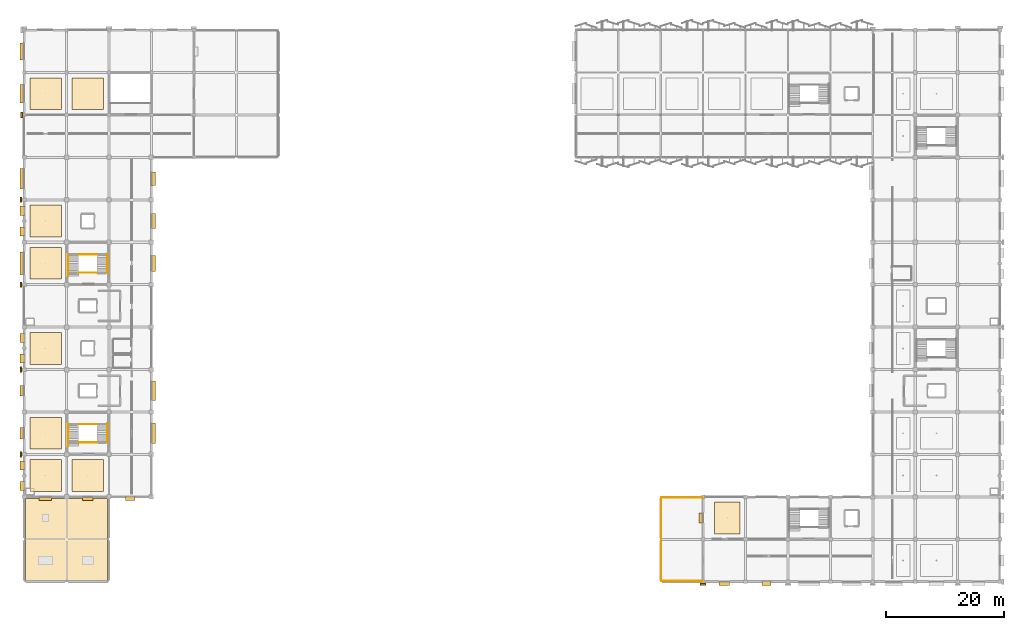
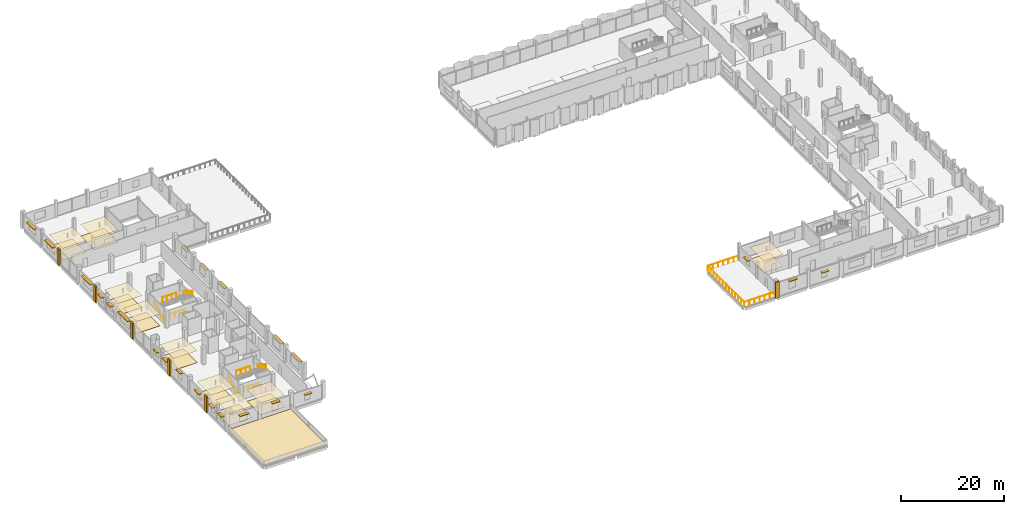
# One storey, part 88 of 91: 25 coverings, 23 shading devices, 12 railings.
"""IFC4 building model written with IfcOpenShell, lengths in metres."""

from ifc_helpers import new_model, si_unit, direction, frame, origin, origin_2d, place, context, subcontext, project, spatial, polyline, rectangle, circle, outline, extrude, material, layer, layer_set, type_object, element, save


model = new_model("IFC4")

# Units and contexts
model_context = context("Model", 3, precision=1e-05, world=origin(), true_north=direction((0.0, 1.0)))
body_context = subcontext(model_context, "Body", "Model", "MODEL_VIEW")
ifc_project = project(units=[si_unit("LENGTHUNIT", "METRE"), si_unit("AREAUNIT", "SQUARE_METRE"), si_unit("VOLUMEUNIT", "CUBIC_METRE"), si_unit("PLANEANGLEUNIT", "RADIAN"), si_unit("MASSUNIT", "GRAM", prefix="KILO")], contexts=[model_context])

# Site, building, storey
site_placement = place(None, origin())
site = spatial("IfcSite", under=ifc_project, at=site_placement, CompositionType="ELEMENT")
building_placement = place(site_placement, origin())
building = spatial("IfcBuilding", under=site, at=building_placement, Name="Kangsadwip Square Police Headquarters", CompositionType="ELEMENT")
storey_placement = place(building_placement, frame((0.0, 0.0, 13.5)))
storey = spatial("IfcBuildingStorey", under=building, at=storey_placement, Name="L03", CompositionType="ELEMENT", Elevation=13.5)

# Railings
ifc_material_1 = material(Name="Structural steel IS 2062 E250 (Grade 250, 250 MPa)", Category="steel")
railing_type_1 = type_object("IfcRailingType", Name="BalustradeGuard1100", PredefinedType="BALUSTRADE", material=ifc_material_1)
for number, where, name in (
    (1, (108.1201171875, 35.8798828125, 0.0), "Terrace Balustrade GR-L03-008"),
    (2, (108.1201171875, 21.719970703125, 0.0), "Terrace Balustrade GR-L03-009"),
):
    element("IfcRailing", number, at=place(storey_placement, frame(where)), inside=storey, type_object=railing_type_1, Name=name, PredefinedType="BALUSTRADE", context=body_context, shape_type="SweptSolid", body=[
        extrude(circle(Radius=0.02392578125, at=origin_2d()), frame((0.0, 0.0, 1.09619140625), z_axis=(1.0, 0.0, 0.0), x_axis=(0.0, 1.0, 0.0)), (0.0, 0.0, 1.0), 6.9599609375),
        extrude(circle(Radius=0.02099609375, at=origin_2d()), origin(), (0.0, 0.0, 1.0), 1.072021484375),
        extrude(circle(Radius=0.02099609375, at=origin_2d()), frame((1.159912109375, 0.0, 0.0)), (0.0, 0.0, 1.0), 1.072021484375),
        extrude(circle(Radius=0.02099609375, at=origin_2d()), frame((2.320068359375, 0.0, 0.0)), (0.0, 0.0, 1.0), 1.072021484375),
        extrude(circle(Radius=0.02099609375, at=origin_2d()), frame((3.47998046875, 0.0, 0.0)), (0.0, 0.0, 1.0), 1.072021484375),
        extrude(circle(Radius=0.02099609375, at=origin_2d()), frame((4.639892578125, 0.0, 0.0)), (0.0, 0.0, 1.0), 1.072021484375),
        extrude(circle(Radius=0.02099609375, at=origin_2d()), frame((5.800048828125, 0.0, 0.0)), (0.0, 0.0, 1.0), 1.072021484375),
        extrude(circle(Radius=0.02099609375, at=origin_2d()), frame((6.9599609375, 0.0, 0.0)), (0.0, 0.0, 1.0), 1.072021484375),
    ])
for number, where, name in (
    (3, (108.1201171875, 21.719970703125, 0.0), "Terrace Balustrade GR-L03-010"),
    (4, (108.1201171875, 28.919921875, 0.0), "Terrace Balustrade GR-L03-011"),
):
    element("IfcRailing", number, at=place(storey_placement, frame(where)), inside=storey, type_object=railing_type_1, Name=name, PredefinedType="BALUSTRADE", context=body_context, shape_type="SweptSolid", body=[
        extrude(circle(Radius=0.02392578125, at=origin_2d()), frame((0.0, 0.0, 1.09619140625), z_axis=(0.0, 1.0, 0.0), x_axis=(-1.0, 0.0, 0.0)), (0.0, 0.0, 1.0), 6.9599609375),
        extrude(circle(Radius=0.02099609375, at=origin_2d()), origin(), (0.0, 0.0, 1.0), 1.072021484375),
        extrude(circle(Radius=0.02099609375, at=origin_2d()), frame((0.0, 1.159912109375, 0.0)), (0.0, 0.0, 1.0), 1.072021484375),
        extrude(circle(Radius=0.02099609375, at=origin_2d()), frame((0.0, 2.320068359375, 0.0)), (0.0, 0.0, 1.0), 1.072021484375),
        extrude(circle(Radius=0.02099609375, at=origin_2d()), frame((0.0, 3.47998046875, 0.0)), (0.0, 0.0, 1.0), 1.072021484375),
        extrude(circle(Radius=0.02099609375, at=origin_2d()), frame((0.0, 4.639892578125, 0.0)), (0.0, 0.0, 1.0), 1.072021484375),
        extrude(circle(Radius=0.02099609375, at=origin_2d()), frame((0.0, 5.800048828125, 0.0)), (0.0, 0.0, 1.0), 1.072021484375),
        extrude(circle(Radius=0.02099609375, at=origin_2d()), frame((0.0, 6.9599609375, 0.0)), (0.0, 0.0, 1.0), 1.072021484375),
    ])
for number, where, name in (
    (5, (9.22998046875, 45.239990234375, 0.0), "Stair Guard ST-01 L03-16"),
    (6, (9.22998046875, 48.320068359375, 2.10595703125), "Stair Guard ST-01 L03-17"),
    (7, (9.22998046875, 74.0400390625, 0.0), "Stair Guard ST-02 L03-51"),
    (8, (9.22998046875, 77.1201171875, 2.10595703125), "Stair Guard ST-02 L03-52"),
):
    element("IfcRailing", number, at=place(storey_placement, frame(where)), inside=storey, type_object=railing_type_1, Name=name, PredefinedType="BALUSTRADE", context=body_context, shape_type="SweptSolid", body=[
        extrude(circle(Radius=0.02392578125, at=origin_2d()), frame((0.0, 0.0, 1.09619140625), z_axis=(1.0, 0.0, 0.0), x_axis=(0.0, 1.0, 0.0)), (0.0, 0.0, 1.0), 3.14013671875),
        extrude(circle(Radius=0.02099609375, at=origin_2d()), origin(), (0.0, 0.0, 1.0), 1.072021484375),
        extrude(circle(Radius=0.02099609375, at=origin_2d()), frame((1.046630859375, 0.0, 0.0)), (0.0, 0.0, 1.0), 1.072021484375),
        extrude(circle(Radius=0.02099609375, at=origin_2d()), frame((2.093505859375, 0.0, 0.0)), (0.0, 0.0, 1.0), 1.072021484375),
        extrude(circle(Radius=0.02099609375, at=origin_2d()), frame((3.14013671875, 0.0, 0.0)), (0.0, 0.0, 1.0), 1.072021484375),
    ])

# Coverings
ifc_material_2 = material(Name="High-albedo elastomeric SRI-104 insulated roof membrane", Category="roofing")
ifc_layer_1 = layer(ifc_material_2, 0.0400390625)
ifc_layer_set_1 = layer_set([ifc_layer_1], Name="High-albedo elastomeric SRI-104 insulated roof membrane")
covering_type_1 = type_object("IfcCoveringType", Name="HighAlbedoRoofMembrane", PredefinedType="ROOFING", material=ifc_layer_set_1)
covering_1_placement = place(storey_placement, origin())
element("IfcCovering", 9, at=covering_1_placement, inside=storey, type_object=covering_type_1, Name="Cool Roof Membrane RF-L03-V3L", PredefinedType="ROOFING", context=body_context, shape_type="SweptSolid", body=[
    extrude(outline(polyline([(0.25, 21.85009765625), (14.14990234375, 21.85009765625), (14.14990234375, 35.75), (0.25, 35.75), (0.25, 21.85009765625)])), origin(), (0.0, 0.0, 1.0), 0.0400390625),
])
ifc_material_3 = material(Name="Seamless anti-static epoxy and polished Kota stone interior flooring", Category="masonry")
ifc_layer_2 = layer(ifc_material_3, 0.02001953125)
ifc_layer_set_2 = layer_set([ifc_layer_2], Name="Seamless anti-static epoxy and polished Kota stone interior flooring")
covering_type_2 = type_object("IfcCoveringType", Name="InteriorStoneEpoxyFloor", PredefinedType="FLOORING", material=ifc_layer_set_2)
covering_2_placement = place(storey_placement, origin())
element("IfcCovering", 10, at=covering_2_placement, inside=storey, type_object=covering_type_2, Name="Interior Floor Finish L03-111", PredefinedType="FLOORING", context=body_context, shape_type="SweptSolid", body=[
    extrude(outline(polyline([(1.0, 101.699951171875), (6.300048828125, 101.699951171875), (6.300048828125, 107.10009765625), (1.0, 107.10009765625), (1.0, 101.699951171875)])), origin(), (0.0, 0.0, 1.0), 0.02001953125),
])
covering_3_placement = place(storey_placement, origin())
element("IfcCovering", 11, at=covering_3_placement, inside=storey, type_object=covering_type_2, Name="Interior Floor Finish L03-112", PredefinedType="FLOORING", context=body_context, shape_type="SweptSolid", body=[
    extrude(outline(polyline([(8.10009765625, 101.699951171875), (13.5, 101.699951171875), (13.5, 107.10009765625), (8.10009765625, 107.10009765625), (8.10009765625, 101.699951171875)])), origin(), (0.0, 0.0, 1.0), 0.02001953125),
])
covering_4_placement = place(storey_placement, origin())
element("IfcCovering", 12, at=covering_4_placement, inside=storey, type_object=covering_type_2, Name="Interior Floor Finish L03-121", PredefinedType="FLOORING", context=body_context, shape_type="SweptSolid", body=[
    extrude(outline(polyline([(1.0, 36.89990234375), (6.300048828125, 36.89990234375), (6.300048828125, 42.300048828125), (1.0, 42.300048828125), (1.0, 36.89990234375)])), origin(), (0.0, 0.0, 1.0), 0.02001953125),
])
covering_5_placement = place(storey_placement, origin())
element("IfcCovering", 13, at=covering_5_placement, inside=storey, type_object=covering_type_2, Name="Interior Floor Finish L03-122", PredefinedType="FLOORING", context=body_context, shape_type="SweptSolid", body=[
    extrude(outline(polyline([(8.10009765625, 36.89990234375), (13.5, 36.89990234375), (13.5, 42.300048828125), (8.10009765625, 42.300048828125), (8.10009765625, 36.89990234375)])), origin(), (0.0, 0.0, 1.0), 0.02001953125),
])
covering_6_placement = place(storey_placement, origin())
element("IfcCovering", 14, at=covering_6_placement, inside=storey, type_object=covering_type_2, Name="Interior Floor Finish L03-123", PredefinedType="FLOORING", context=body_context, shape_type="SweptSolid", body=[
    extrude(outline(polyline([(1.0, 44.10009765625), (6.300048828125, 44.10009765625), (6.300048828125, 49.5), (1.0, 49.5), (1.0, 44.10009765625)])), origin(), (0.0, 0.0, 1.0), 0.02001953125),
])
covering_7_placement = place(storey_placement, origin())
element("IfcCovering", 15, at=covering_7_placement, inside=storey, type_object=covering_type_2, Name="Interior Floor Finish L03-124", PredefinedType="FLOORING", context=body_context, shape_type="SweptSolid", body=[
    extrude(outline(polyline([(1.0, 58.5), (6.300048828125, 58.5), (6.300048828125, 63.89990234375), (1.0, 63.89990234375), (1.0, 58.5)])), origin(), (0.0, 0.0, 1.0), 0.02001953125),
])
covering_8_placement = place(storey_placement, origin())
element("IfcCovering", 16, at=covering_8_placement, inside=storey, type_object=covering_type_2, Name="Interior Floor Finish L03-125", PredefinedType="FLOORING", context=body_context, shape_type="SweptSolid", body=[
    extrude(outline(polyline([(1.0, 72.949951171875), (6.300048828125, 72.949951171875), (6.300048828125, 78.300048828125), (1.0, 78.300048828125), (1.0, 72.949951171875)])), origin(), (0.0, 0.0, 1.0), 0.02001953125),
])
covering_9_placement = place(storey_placement, origin())
element("IfcCovering", 17, at=covering_9_placement, inside=storey, type_object=covering_type_2, Name="Interior Floor Finish L03-126", PredefinedType="FLOORING", context=body_context, shape_type="SweptSolid", body=[
    extrude(outline(polyline([(1.0, 80.10009765625), (6.300048828125, 80.10009765625), (6.300048828125, 85.5), (1.0, 85.5), (1.0, 80.10009765625)])), origin(), (0.0, 0.0, 1.0), 0.02001953125),
])
covering_10_placement = place(storey_placement, origin())
element("IfcCovering", 18, at=covering_10_placement, inside=storey, type_object=covering_type_2, Name="Interior Floor Finish L03-133", PredefinedType="FLOORING", context=body_context, shape_type="SweptSolid", body=[
    extrude(outline(polyline([(117.14990234375, 29.699951171875), (121.5, 29.699951171875), (121.5, 35.10009765625), (117.14990234375, 35.10009765625), (117.14990234375, 29.699951171875)])), origin(), (0.0, 0.0, 1.0), 0.02001953125),
])

# Railings
ifc_material_4 = material(Name="Structural steel IS 2062 E250 (Grade 250, 250 MPa)", Category="steel")
railing_type_2 = type_object("IfcRailingType", Name="StairPitchHandrail900", PredefinedType="HANDRAIL", material=ifc_material_4)
railing_1_placement = place(storey_placement, frame((7.43994140625, 44.639892578125, 0.0)))
element("IfcRailing", 19, at=railing_1_placement, inside=storey, type_object=railing_type_2, Name="Stair Handrail ST-01 L03-18", PredefinedType="HANDRAIL", context=body_context, shape_type="SweptSolid", body=[
    extrude(circle(Radius=0.02392578125, at=origin_2d()), frame((0.0, 0.0, 0.8759765625), z_axis=(0.0, 0.87023930122, 0.492629230367), x_axis=(-1.0, 0.0, 0.0)), (0.0, 0.0, 1.0), 4.27490234375),
    extrude(circle(Radius=0.02099609375, at=origin_2d()), origin(), (0.0, 0.0, 1.0), 0.851806640625),
    extrude(circle(Radius=0.02099609375, at=origin_2d()), frame((0.0, 0.93017578125, 0.5263671875)), (0.0, 0.0, 1.0), 0.851806640625),
    extrude(circle(Radius=0.02099609375, at=origin_2d()), frame((0.0, 1.860107421875, 1.052978515625)), (0.0, 0.0, 1.0), 0.851806640625),
    extrude(circle(Radius=0.02099609375, at=origin_2d()), frame((0.0, 2.7900390625, 1.57958984375)), (0.0, 0.0, 1.0), 0.851806640625),
    extrude(circle(Radius=0.02099609375, at=origin_2d()), frame((0.0, 3.72021484375, 2.10595703125)), (0.0, 0.0, 1.0), 0.851806640625),
])
railing_2_placement = place(storey_placement, frame((14.159912109375, 48.4599609375, 2.10595703125)))
element("IfcRailing", 20, at=railing_2_placement, inside=storey, type_object=railing_type_2, Name="Stair Handrail ST-01 L03-19", PredefinedType="HANDRAIL", context=body_context, shape_type="SweptSolid", body=[
    extrude(circle(Radius=0.02392578125, at=origin_2d()), frame((0.0, 0.0, 0.8759765625), z_axis=(0.0, -0.860248887005, 0.509874349626), x_axis=(1.0, 0.0, 0.0)), (0.0, 0.0, 1.0), 3.81298828125),
    extrude(circle(Radius=0.02099609375, at=origin_2d()), origin(), (0.0, 0.0, 1.0), 0.851806640625),
    extrude(circle(Radius=0.02099609375, at=origin_2d()), frame((0.0, -0.820068359375, 0.486083984375)), (0.0, 0.0, 1.0), 0.851806640625),
    extrude(circle(Radius=0.02099609375, at=origin_2d()), frame((0.0, -1.64013671875, 0.97216796875)), (0.0, 0.0, 1.0), 0.851806640625),
    extrude(circle(Radius=0.02099609375, at=origin_2d()), frame((0.0, -2.4599609375, 1.4580078125)), (0.0, 0.0, 1.0), 0.851806640625),
    extrude(circle(Radius=0.02099609375, at=origin_2d()), frame((0.0, -3.280029296875, 1.944091796875)), (0.0, 0.0, 1.0), 0.851806640625),
])
railing_3_placement = place(storey_placement, frame((7.43994140625, 73.43994140625, 0.0)))
element("IfcRailing", 21, at=railing_3_placement, inside=storey, type_object=railing_type_2, Name="Stair Handrail ST-02 L03-53", PredefinedType="HANDRAIL", context=body_context, shape_type="SweptSolid", body=[
    extrude(circle(Radius=0.02392578125, at=origin_2d()), frame((0.0, 0.0, 0.8759765625), z_axis=(0.0, 0.870225440575, 0.492653714668), x_axis=(-1.0, 0.0, 0.0)), (0.0, 0.0, 1.0), 4.274658203125),
    extrude(circle(Radius=0.02099609375, at=origin_2d()), origin(), (0.0, 0.0, 1.0), 0.851806640625),
    extrude(circle(Radius=0.02099609375, at=origin_2d()), frame((0.0, 0.929931640625, 0.5263671875)), (0.0, 0.0, 1.0), 0.851806640625),
    extrude(circle(Radius=0.02099609375, at=origin_2d()), frame((0.0, 1.85986328125, 1.052978515625)), (0.0, 0.0, 1.0), 0.851806640625),
    extrude(circle(Radius=0.02099609375, at=origin_2d()), frame((0.0, 2.7900390625, 1.57958984375)), (0.0, 0.0, 1.0), 0.851806640625),
    extrude(circle(Radius=0.02099609375, at=origin_2d()), frame((0.0, 3.719970703125, 2.10595703125)), (0.0, 0.0, 1.0), 0.851806640625),
])
railing_4_placement = place(storey_placement, frame((14.159912109375, 77.260009765625, 2.10595703125)))
element("IfcRailing", 22, at=railing_4_placement, inside=storey, type_object=railing_type_2, Name="Stair Handrail ST-02 L03-54", PredefinedType="HANDRAIL", context=body_context, shape_type="SweptSolid", body=[
    extrude(circle(Radius=0.02392578125, at=origin_2d()), frame((0.0, 0.0, 0.8759765625), z_axis=(0.0, -0.860248887005, 0.509874349626), x_axis=(1.0, 0.0, 0.0)), (0.0, 0.0, 1.0), 3.81298828125),
    extrude(circle(Radius=0.02099609375, at=origin_2d()), origin(), (0.0, 0.0, 1.0), 0.851806640625),
    extrude(circle(Radius=0.02099609375, at=origin_2d()), frame((0.0, -0.820068359375, 0.486083984375)), (0.0, 0.0, 1.0), 0.851806640625),
    extrude(circle(Radius=0.02099609375, at=origin_2d()), frame((0.0, -1.64013671875, 0.97216796875)), (0.0, 0.0, 1.0), 0.851806640625),
    extrude(circle(Radius=0.02099609375, at=origin_2d()), frame((0.0, -2.4599609375, 1.4580078125)), (0.0, 0.0, 1.0), 0.851806640625),
    extrude(circle(Radius=0.02099609375, at=origin_2d()), frame((0.0, -3.280029296875, 1.944091796875)), (0.0, 0.0, 1.0), 0.851806640625),
])

# Coverings
ifc_material_5 = material(Name="Perforated mineral-fibre and acoustic baffle suspended ceiling", Category="wood")
ifc_layer_3 = layer(ifc_material_5, 0.02490234375)
ifc_layer_set_3 = layer_set([ifc_layer_3], Name="Perforated mineral-fibre and acoustic baffle suspended ceiling")
covering_type_3 = type_object("IfcCoveringType", Name="SuspendedAcousticCeiling", PredefinedType="CEILING", material=ifc_layer_set_3)
covering_11_placement = place(storey_placement, frame((0.0, 0.0, 2.800048828125)))
element("IfcCovering", 23, at=covering_11_placement, inside=storey, type_object=covering_type_3, Name="Suspended Acoustic Ceiling L03-111", PredefinedType="CEILING", context=body_context, shape_type="SweptSolid", body=[
    extrude(outline(polyline([(1.0, 101.699951171875), (6.300048828125, 101.699951171875), (6.300048828125, 107.10009765625), (1.0, 107.10009765625), (1.0, 101.699951171875)])), origin(), (0.0, 0.0, 1.0), 0.02490234375),
])
covering_12_placement = place(storey_placement, frame((0.0, 0.0, 2.800048828125)))
element("IfcCovering", 24, at=covering_12_placement, inside=storey, type_object=covering_type_3, Name="Suspended Acoustic Ceiling L03-112", PredefinedType="CEILING", context=body_context, shape_type="SweptSolid", body=[
    extrude(outline(polyline([(8.10009765625, 101.699951171875), (13.5, 101.699951171875), (13.5, 107.10009765625), (8.10009765625, 107.10009765625), (8.10009765625, 101.699951171875)])), origin(), (0.0, 0.0, 1.0), 0.02490234375),
])
covering_13_placement = place(storey_placement, frame((0.0, 0.0, 2.800048828125)))
element("IfcCovering", 25, at=covering_13_placement, inside=storey, type_object=covering_type_3, Name="Suspended Acoustic Ceiling L03-121", PredefinedType="CEILING", context=body_context, shape_type="SweptSolid", body=[
    extrude(outline(polyline([(1.0, 36.89990234375), (6.300048828125, 36.89990234375), (6.300048828125, 42.300048828125), (1.0, 42.300048828125), (1.0, 36.89990234375)])), origin(), (0.0, 0.0, 1.0), 0.02490234375),
])
covering_14_placement = place(storey_placement, frame((0.0, 0.0, 2.800048828125)))
element("IfcCovering", 26, at=covering_14_placement, inside=storey, type_object=covering_type_3, Name="Suspended Acoustic Ceiling L03-122", PredefinedType="CEILING", context=body_context, shape_type="SweptSolid", body=[
    extrude(outline(polyline([(8.10009765625, 36.89990234375), (13.5, 36.89990234375), (13.5, 42.300048828125), (8.10009765625, 42.300048828125), (8.10009765625, 36.89990234375)])), origin(), (0.0, 0.0, 1.0), 0.02490234375),
])
covering_15_placement = place(storey_placement, frame((0.0, 0.0, 2.800048828125)))
element("IfcCovering", 27, at=covering_15_placement, inside=storey, type_object=covering_type_3, Name="Suspended Acoustic Ceiling L03-123", PredefinedType="CEILING", context=body_context, shape_type="SweptSolid", body=[
    extrude(outline(polyline([(1.0, 44.10009765625), (6.300048828125, 44.10009765625), (6.300048828125, 49.5), (1.0, 49.5), (1.0, 44.10009765625)])), origin(), (0.0, 0.0, 1.0), 0.02490234375),
])
covering_16_placement = place(storey_placement, frame((0.0, 0.0, 2.800048828125)))
element("IfcCovering", 28, at=covering_16_placement, inside=storey, type_object=covering_type_3, Name="Suspended Acoustic Ceiling L03-124", PredefinedType="CEILING", context=body_context, shape_type="SweptSolid", body=[
    extrude(outline(polyline([(1.0, 58.5), (6.300048828125, 58.5), (6.300048828125, 63.89990234375), (1.0, 63.89990234375), (1.0, 58.5)])), origin(), (0.0, 0.0, 1.0), 0.02490234375),
])
covering_17_placement = place(storey_placement, frame((0.0, 0.0, 2.800048828125)))
element("IfcCovering", 29, at=covering_17_placement, inside=storey, type_object=covering_type_3, Name="Suspended Acoustic Ceiling L03-125", PredefinedType="CEILING", context=body_context, shape_type="SweptSolid", body=[
    extrude(outline(polyline([(1.0, 72.949951171875), (6.300048828125, 72.949951171875), (6.300048828125, 78.300048828125), (1.0, 78.300048828125), (1.0, 72.949951171875)])), origin(), (0.0, 0.0, 1.0), 0.02490234375),
])
covering_18_placement = place(storey_placement, frame((0.0, 0.0, 2.800048828125)))
element("IfcCovering", 30, at=covering_18_placement, inside=storey, type_object=covering_type_3, Name="Suspended Acoustic Ceiling L03-126", PredefinedType="CEILING", context=body_context, shape_type="SweptSolid", body=[
    extrude(outline(polyline([(1.0, 80.10009765625), (6.300048828125, 80.10009765625), (6.300048828125, 85.5), (1.0, 85.5), (1.0, 80.10009765625)])), origin(), (0.0, 0.0, 1.0), 0.02490234375),
])
covering_19_placement = place(storey_placement, frame((0.0, 0.0, 2.800048828125)))
element("IfcCovering", 31, at=covering_19_placement, inside=storey, type_object=covering_type_3, Name="Suspended Acoustic Ceiling L03-133", PredefinedType="CEILING", context=body_context, shape_type="SweptSolid", body=[
    extrude(outline(polyline([(117.14990234375, 29.699951171875), (121.5, 29.699951171875), (121.5, 35.10009765625), (117.14990234375, 35.10009765625), (117.14990234375, 29.699951171875)])), origin(), (0.0, 0.0, 1.0), 0.02490234375),
])
ifc_material_6 = material(Name="Glazed architectural terracotta masonry rainscreen", Category="masonry")
ifc_layer_4 = layer(ifc_material_6, 0.034912109375)
ifc_layer_set_4 = layer_set([ifc_layer_4], Name="Glazed architectural terracotta masonry rainscreen")
covering_type_4 = type_object("IfcCoveringType", Name="TerracottaPierCladding", PredefinedType="CLADDING", material=ifc_layer_set_4)
covering_20_placement = place(storey_placement, origin())
element("IfcCovering", 32, at=covering_20_placement, inside=storey, type_object=covering_type_4, Name="Terracotta Pier Cladding L03-083", PredefinedType="CLADDING", context=body_context, shape_type="SweptSolid", body=[
    extrude(outline(polyline([(-0.699951171875, 42.760009765625), (-0.3798828125, 42.760009765625), (-0.3798828125, 43.639892578125), (-0.699951171875, 43.639892578125), (-0.699951171875, 42.760009765625)])), origin(), (0.0, 0.0, 1.0), 3.800048828125),
])
covering_21_placement = place(storey_placement, origin())
element("IfcCovering", 33, at=covering_21_placement, inside=storey, type_object=covering_type_4, Name="Terracotta Pier Cladding L03-084", PredefinedType="CLADDING", context=body_context, shape_type="SweptSolid", body=[
    extrude(outline(polyline([(-0.699951171875, 57.159912109375), (-0.3798828125, 57.159912109375), (-0.3798828125, 58.0400390625), (-0.699951171875, 58.0400390625), (-0.699951171875, 57.159912109375)])), origin(), (0.0, 0.0, 1.0), 3.800048828125),
])
covering_22_placement = place(storey_placement, origin())
element("IfcCovering", 34, at=covering_22_placement, inside=storey, type_object=covering_type_4, Name="Terracotta Pier Cladding L03-085", PredefinedType="CLADDING", context=body_context, shape_type="SweptSolid", body=[
    extrude(outline(polyline([(-0.699951171875, 71.56005859375), (-0.3798828125, 71.56005859375), (-0.3798828125, 72.43994140625), (-0.699951171875, 72.43994140625), (-0.699951171875, 71.56005859375)])), origin(), (0.0, 0.0, 1.0), 3.800048828125),
])
covering_23_placement = place(storey_placement, origin())
element("IfcCovering", 35, at=covering_23_placement, inside=storey, type_object=covering_type_4, Name="Terracotta Pier Cladding L03-086", PredefinedType="CLADDING", context=body_context, shape_type="SweptSolid", body=[
    extrude(outline(polyline([(-0.699951171875, 85.9599609375), (-0.3798828125, 85.9599609375), (-0.3798828125, 86.840087890625), (-0.699951171875, 86.840087890625), (-0.699951171875, 85.9599609375)])), origin(), (0.0, 0.0, 1.0), 3.800048828125),
])
covering_24_placement = place(storey_placement, origin())
element("IfcCovering", 36, at=covering_24_placement, inside=storey, type_object=covering_type_4, Name="Terracotta Pier Cladding L03-087", PredefinedType="CLADDING", context=body_context, shape_type="SweptSolid", body=[
    extrude(outline(polyline([(-0.574951171875, 100.360107421875), (-0.2548828125, 100.360107421875), (-0.2548828125, 101.239990234375), (-0.574951171875, 101.239990234375), (-0.574951171875, 100.360107421875)])), origin(), (0.0, 0.0, 1.0), 3.800048828125),
])
covering_25_placement = place(storey_placement, origin())
element("IfcCovering", 37, at=covering_25_placement, inside=storey, type_object=covering_type_4, Name="Terracotta Pier Cladding L03-102", PredefinedType="CLADDING", context=body_context, shape_type="SweptSolid", body=[
    extrude(outline(polyline([(114.760009765625, 21.0), (115.639892578125, 21.0), (115.639892578125, 21.320068359375), (114.760009765625, 21.320068359375), (114.760009765625, 21.0)])), origin(), (0.0, 0.0, 1.0), 3.800048828125),
])

# Shading devices
ifc_material_7 = material(Name="Architectural terracotta and anodised aluminium AW-6061-T6", Category="aluminium")
shading_device_type = type_object("IfcShadingDeviceType", Name="TerracottaChhajjaAwning", PredefinedType="AWNING", material=ifc_material_7)
shading_device_1_placement = place(storey_placement, frame((118.800048828125, 21.300048828125, 2.9150390625), z_axis=(0.0, 0.0, 1.0), x_axis=(1.0, 0.0, 0.0)))
element("IfcShadingDevice", 38, at=shading_device_1_placement, inside=storey, type_object=shading_device_type, Name="Terracotta Chhajja Hood CHJ-L03-0160", PredefinedType="AWNING", context=body_context, shape_type="SweptSolid", body=[
    extrude(rectangle(XDim=1.800048828125, YDim=0.719970703125, at=origin_2d()), origin(), (0.0, 0.0, 1.0), 0.090087890625),
])
shading_device_2_placement = place(storey_placement, frame((125.987548828125, 21.300048828125, 2.36474609375), z_axis=(0.0, 0.0, 1.0), x_axis=(1.0, 0.0, 0.0)))
element("IfcShadingDevice", 39, at=shading_device_2_placement, inside=storey, type_object=shading_device_type, Name="Terracotta Chhajja Hood CHJ-L03-0161", PredefinedType="AWNING", context=body_context, shape_type="SweptSolid", body=[
    extrude(rectangle(XDim=1.550048828125, YDim=0.719970703125, at=origin_2d()), origin(), (0.0, 0.0, 1.0), 0.090087890625),
])
shading_device_3_placement = place(storey_placement, frame((3.612548828125, 35.699951171875, 2.46484375), z_axis=(0.0, 0.0, 1.0), x_axis=(1.0, 0.0, 0.0)))
element("IfcShadingDevice", 40, at=shading_device_3_placement, inside=storey, type_object=shading_device_type, Name="Terracotta Chhajja Hood CHJ-L03-0167", PredefinedType="AWNING", context=body_context, shape_type="SweptSolid", body=[
    extrude(rectangle(XDim=2.10009765625, YDim=0.719970703125, at=origin_2d()), origin(), (0.0, 0.0, 1.0), 0.090087890625),
])
shading_device_4_placement = place(storey_placement, frame((10.800048828125, 35.699951171875, 2.9150390625), z_axis=(0.0, 0.0, 1.0), x_axis=(1.0, 0.0, 0.0)))
element("IfcShadingDevice", 41, at=shading_device_4_placement, inside=storey, type_object=shading_device_type, Name="Terracotta Chhajja Hood CHJ-L03-0168", PredefinedType="AWNING", context=body_context, shape_type="SweptSolid", body=[
    extrude(rectangle(XDim=1.800048828125, YDim=0.719970703125, at=origin_2d()), origin(), (0.0, 0.0, 1.0), 0.090087890625),
])
for number, where, z_axis, x_axis, name in (
    (42, (18.0, 35.699951171875, 2.36474609375), (0.0, 0.0, 1.0), (1.0, 0.0, 0.0), "Terracotta Chhajja Hood CHJ-L03-0169"),
    (43, (-0.300048828125, 37.85009765625, 2.36474609375), (0.0, 0.0, 1.0), (0.0, 1.0, 0.0), "Terracotta Chhajja Hood CHJ-L03-0170"),
    (44, (-0.300048828125, 41.35009765625, 2.36474609375), (0.0, 0.0, 1.0), (0.0, 1.0, 0.0), "Terracotta Chhajja Hood CHJ-L03-0171"),
):
    element("IfcShadingDevice", number, at=place(storey_placement, frame(where, z_axis=z_axis, x_axis=x_axis)), inside=storey, type_object=shading_device_type, Name=name, PredefinedType="AWNING", context=body_context, shape_type="SweptSolid", body=[
        extrude(rectangle(XDim=1.550048828125, YDim=0.719970703125, at=origin_2d()), origin(), (0.0, 0.0, 1.0), 0.090087890625),
    ])
shading_device_5_placement = place(storey_placement, frame((-0.300048828125, 46.800048828125, 2.4150390625), z_axis=(0.0, 0.0, 1.0), x_axis=(0.0, 1.0, 0.0)))
element("IfcShadingDevice", 45, at=shading_device_5_placement, inside=storey, type_object=shading_device_type, Name="Terracotta Chhajja Hood CHJ-L03-0172", PredefinedType="AWNING", context=body_context, shape_type="SweptSolid", body=[
    extrude(rectangle(XDim=1.949951171875, YDim=0.719970703125, at=origin_2d()), origin(), (0.0, 0.0, 1.0), 0.090087890625),
])
shading_device_6_placement = place(storey_placement, frame((-0.300048828125, 54.0, 2.9150390625), z_axis=(0.0, 0.0, 1.0), x_axis=(0.0, 1.0, 0.0)))
element("IfcShadingDevice", 46, at=shading_device_6_placement, inside=storey, type_object=shading_device_type, Name="Terracotta Chhajja Hood CHJ-L03-0173", PredefinedType="AWNING", context=body_context, shape_type="SweptSolid", body=[
    extrude(rectangle(XDim=1.800048828125, YDim=0.719970703125, at=origin_2d()), origin(), (0.0, 0.0, 1.0), 0.090087890625),
])
for number, where, z_axis, x_axis, name in (
    (47, (-0.300048828125, 59.449951171875, 2.36474609375), (0.0, 0.0, 1.0), (0.0, 1.0, 0.0), "Terracotta Chhajja Hood CHJ-L03-0174"),
    (48, (-0.300048828125, 62.949951171875, 2.36474609375), (0.0, 0.0, 1.0), (0.0, 1.0, 0.0), "Terracotta Chhajja Hood CHJ-L03-0175"),
):
    element("IfcShadingDevice", number, at=place(storey_placement, frame(where, z_axis=z_axis, x_axis=x_axis)), inside=storey, type_object=shading_device_type, Name=name, PredefinedType="AWNING", context=body_context, shape_type="SweptSolid", body=[
        extrude(rectangle(XDim=1.550048828125, YDim=0.719970703125, at=origin_2d()), origin(), (0.0, 0.0, 1.0), 0.090087890625),
    ])
shading_device_7_placement = place(storey_placement, frame((-0.300048828125, 75.60009765625, 2.9150390625), z_axis=(0.0, 0.0, 1.0), x_axis=(0.0, 1.0, 0.0)))
element("IfcShadingDevice", 49, at=shading_device_7_placement, inside=storey, type_object=shading_device_type, Name="Terracotta Chhajja Hood CHJ-L03-0176", PredefinedType="AWNING", context=body_context, shape_type="SweptSolid", body=[
    extrude(rectangle(XDim=3.89990234375, YDim=0.719970703125, at=origin_2d()), origin(), (0.0, 0.0, 1.0), 0.090087890625),
])
for number, where, z_axis, x_axis, name in (
    (50, (-0.300048828125, 81.050048828125, 2.36474609375), (0.0, 0.0, 1.0), (0.0, 1.0, 0.0), "Terracotta Chhajja Hood CHJ-L03-0177"),
    (51, (-0.300048828125, 84.550048828125, 2.36474609375), (0.0, 0.0, 1.0), (0.0, 1.0, 0.0), "Terracotta Chhajja Hood CHJ-L03-0178"),
):
    element("IfcShadingDevice", number, at=place(storey_placement, frame(where, z_axis=z_axis, x_axis=x_axis)), inside=storey, type_object=shading_device_type, Name=name, PredefinedType="AWNING", context=body_context, shape_type="SweptSolid", body=[
        extrude(rectangle(XDim=1.550048828125, YDim=0.719970703125, at=origin_2d()), origin(), (0.0, 0.0, 1.0), 0.090087890625),
    ])
shading_device_8_placement = place(storey_placement, frame((-0.300048828125, 90.0, 2.81494140625), z_axis=(0.0, 0.0, 1.0), x_axis=(0.0, 1.0, 0.0)))
element("IfcShadingDevice", 52, at=shading_device_8_placement, inside=storey, type_object=shading_device_type, Name="Terracotta Chhajja Hood CHJ-L03-0179", PredefinedType="AWNING", context=body_context, shape_type="SweptSolid", body=[
    extrude(rectangle(XDim=3.5, YDim=0.719970703125, at=origin_2d()), origin(), (0.0, 0.0, 1.0), 0.090087890625),
])
shading_device_9_placement = place(storey_placement, frame((-0.300048828125, 104.41259765625, 2.71484375), z_axis=(0.0, 0.0, 1.0), x_axis=(0.0, 1.0, 0.0)))
element("IfcShadingDevice", 53, at=shading_device_9_placement, inside=storey, type_object=shading_device_type, Name="Terracotta Chhajja Hood CHJ-L03-0180", PredefinedType="AWNING", context=body_context, shape_type="SweptSolid", body=[
    extrude(rectangle(XDim=3.10009765625, YDim=0.719970703125, at=origin_2d()), origin(), (0.0, 0.0, 1.0), 0.090087890625),
])
shading_device_10_placement = place(storey_placement, frame((-0.300048828125, 111.58740234375, 2.6650390625), z_axis=(0.0, 0.0, 1.0), x_axis=(0.0, 1.0, 0.0)))
element("IfcShadingDevice", 54, at=shading_device_10_placement, inside=storey, type_object=shading_device_type, Name="Terracotta Chhajja Hood CHJ-L03-0181", PredefinedType="AWNING", context=body_context, shape_type="SweptSolid", body=[
    extrude(rectangle(XDim=2.89990234375, YDim=0.719970703125, at=origin_2d()), origin(), (0.0, 0.0, 1.0), 0.090087890625),
])
shading_device_11_placement = place(storey_placement, frame((21.89990234375, 46.800048828125, 2.81494140625), z_axis=(0.0, 0.0, 1.0), x_axis=(0.0, 1.0, 0.0)))
element("IfcShadingDevice", 55, at=shading_device_11_placement, inside=storey, type_object=shading_device_type, Name="Terracotta Chhajja Hood CHJ-L03-0182", PredefinedType="AWNING", context=body_context, shape_type="SweptSolid", body=[
    extrude(rectangle(XDim=3.5, YDim=0.719970703125, at=origin_2d()), origin(), (0.0, 0.0, 1.0), 0.090087890625),
])
shading_device_12_placement = place(storey_placement, frame((21.89990234375, 54.0, 2.76513671875), z_axis=(0.0, 0.0, 1.0), x_axis=(0.0, 1.0, 0.0)))
element("IfcShadingDevice", 56, at=shading_device_12_placement, inside=storey, type_object=shading_device_type, Name="Terracotta Chhajja Hood CHJ-L03-0183", PredefinedType="AWNING", context=body_context, shape_type="SweptSolid", body=[
    extrude(rectangle(XDim=3.300048828125, YDim=0.719970703125, at=origin_2d()), origin(), (0.0, 0.0, 1.0), 0.090087890625),
])
shading_device_13_placement = place(storey_placement, frame((21.89990234375, 75.60009765625, 2.61474609375), z_axis=(0.0, 0.0, 1.0), x_axis=(0.0, 1.0, 0.0)))
element("IfcShadingDevice", 57, at=shading_device_13_placement, inside=storey, type_object=shading_device_type, Name="Terracotta Chhajja Hood CHJ-L03-0184", PredefinedType="AWNING", context=body_context, shape_type="SweptSolid", body=[
    extrude(rectangle(XDim=2.699951171875, YDim=0.719970703125, at=origin_2d()), origin(), (0.0, 0.0, 1.0), 0.090087890625),
])
shading_device_14_placement = place(storey_placement, frame((21.89990234375, 82.800048828125, 2.56494140625), z_axis=(0.0, 0.0, 1.0), x_axis=(0.0, 1.0, 0.0)))
element("IfcShadingDevice", 58, at=shading_device_14_placement, inside=storey, type_object=shading_device_type, Name="Terracotta Chhajja Hood CHJ-L03-0185", PredefinedType="AWNING", context=body_context, shape_type="SweptSolid", body=[
    extrude(rectangle(XDim=2.5, YDim=0.719970703125, at=origin_2d()), origin(), (0.0, 0.0, 1.0), 0.090087890625),
])
shading_device_15_placement = place(storey_placement, frame((21.89990234375, 90.0, 2.51513671875), z_axis=(0.0, 0.0, 1.0), x_axis=(0.0, 1.0, 0.0)))
element("IfcShadingDevice", 59, at=shading_device_15_placement, inside=storey, type_object=shading_device_type, Name="Terracotta Chhajja Hood CHJ-L03-0186", PredefinedType="AWNING", context=body_context, shape_type="SweptSolid", body=[
    extrude(rectangle(XDim=2.300048828125, YDim=0.719970703125, at=origin_2d()), origin(), (0.0, 0.0, 1.0), 0.090087890625),
])
shading_device_16_placement = place(storey_placement, frame((114.89990234375, 32.39990234375, 2.46484375), z_axis=(0.0, 0.0, 1.0), x_axis=(0.0, 1.0, 0.0)))
element("IfcShadingDevice", 60, at=shading_device_16_placement, inside=storey, type_object=shading_device_type, Name="Terracotta Chhajja Hood CHJ-L03-0190", PredefinedType="AWNING", context=body_context, shape_type="SweptSolid", body=[
    extrude(rectangle(XDim=1.699951171875, YDim=0.719970703125, at=origin_2d()), origin(), (0.0, 0.0, 1.0), 0.090087890625),
])

save(model, "model.ifc")
